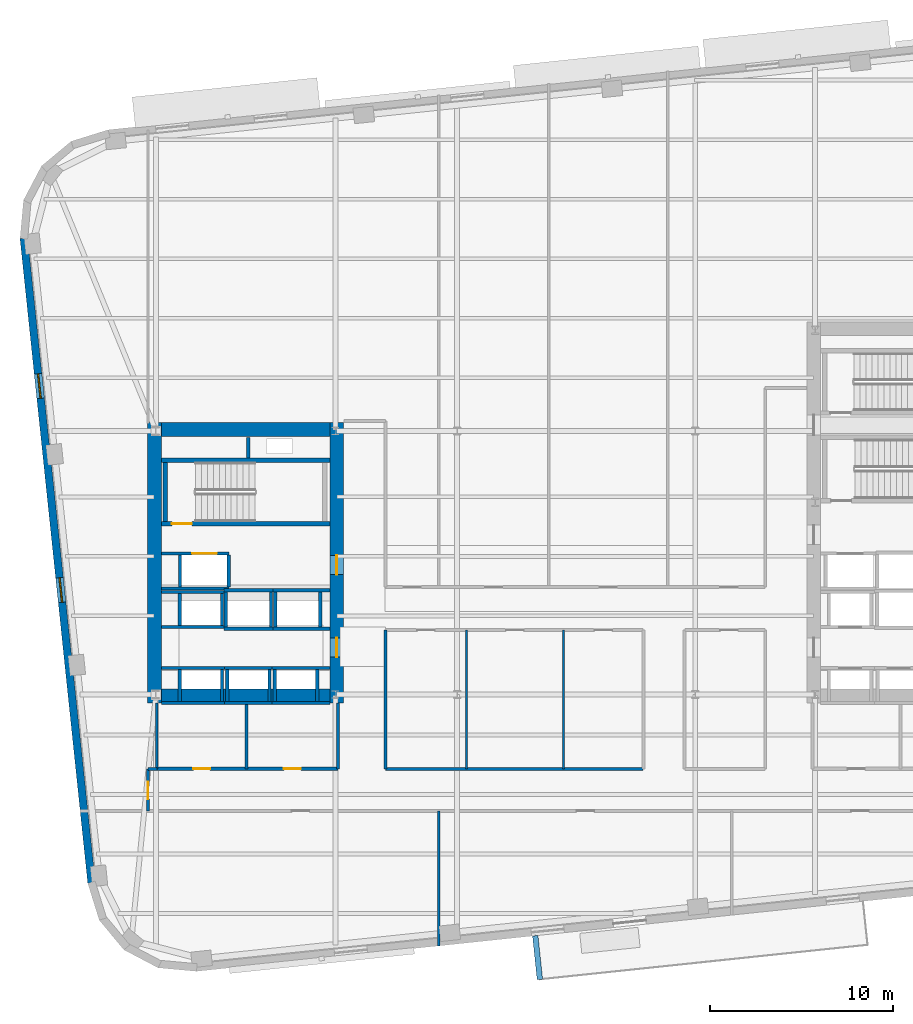
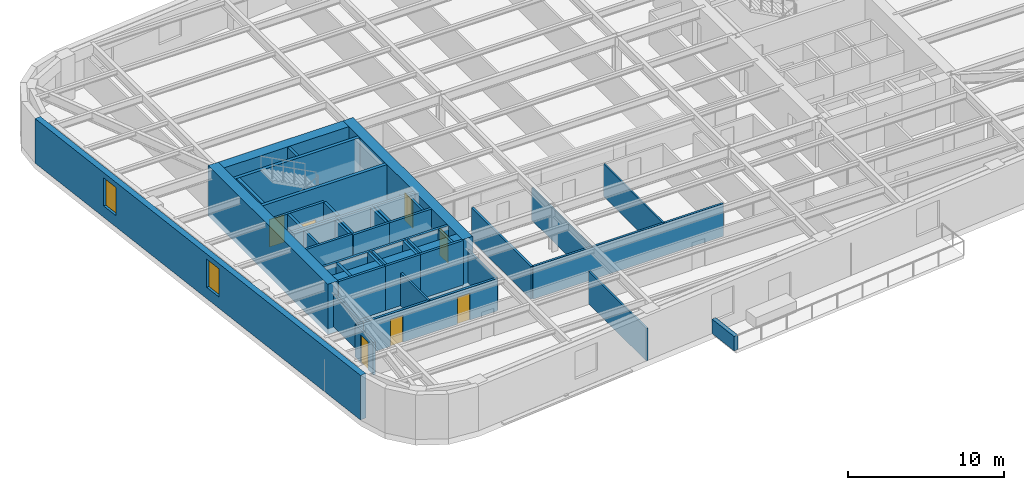
# One storey, part 4 of 11: 49 walls, 7 doors, 2 windows, 9 openings.
"""IFC4 building model written with IfcOpenShell, lengths in metres."""

from ifc_helpers import new_model, si_unit, direction, frame, frame_2d, origin, place, context, subcontext, project, spatial, rectangle, extrude, material, layer, layer_set, type_object, element, fill, save


model = new_model("IFC4")

# Units and contexts
model_context = context("Model", 3, precision=1e-05, world=origin(), true_north=direction((0.0, 1.0)))
body_context = subcontext(model_context, "Body", "Model", "MODEL_VIEW")
ifc_project = project(units=[si_unit("LENGTHUNIT", "METRE"), si_unit("AREAUNIT", "SQUARE_METRE"), si_unit("VOLUMEUNIT", "CUBIC_METRE"), si_unit("PLANEANGLEUNIT", "RADIAN"), si_unit("MASSUNIT", "GRAM", prefix="KILO")], contexts=[model_context])

# Site, building, storey
site_placement = place(None, origin())
site = spatial("IfcSite", under=ifc_project, at=site_placement, CompositionType="ELEMENT")
building_placement = place(site_placement, origin())
building = spatial("IfcBuilding", under=site, at=building_placement, Name="Kolvaren Arena Tower", CompositionType="ELEMENT")
storey_placement = place(building_placement, frame((0.0, 0.0, 99.699951171875)))
storey = spatial("IfcBuildingStorey", under=building, at=storey_placement, Name="L22", CompositionType="ELEMENT", Elevation=99.699951171875)

# Walls
ifc_material_1 = material(Name="Gypsum board acoustic assembly", Category="gypsum")
ifc_layer_1 = layer(ifc_material_1, 0.159912109375)
ifc_layer_set_1 = layer_set([ifc_layer_1], Name="Gypsum board acoustic assembly")
wall_type_1 = type_object("IfcWallType", Name="CORR-160", PredefinedType="PARTITIONING", material=ifc_layer_set_1)
wall_1_placement = place(storey_placement, frame((27.10009765625, 15.3798828125, 0.0), z_axis=(0.0, 0.0, 1.0), x_axis=(1.0, 0.0, 0.0)))
element("IfcWall", 1, at=wall_1_placement, inside=storey, type_object=wall_type_1, Name="Interior Partition Wall (L22)", PredefinedType="PARTITIONING", context=body_context, shape_type="SweptSolid", body=[
    extrude(rectangle(XDim=14.059814453125, YDim=0.159912109375, at=frame_2d((7.02978515625, 0.0))), origin(), (0.0, 0.0, 1.0), 2.5400390625),
])
wall_2_placement = place(storey_placement, frame((27.080078125, 15.3798828125, 0.0), z_axis=(0.0, 0.0, 1.0), x_axis=(0.0, 1.0, 0.0)))
element("IfcWall", 2, at=wall_2_placement, inside=storey, type_object=wall_type_1, Name="Interior Partition Wall (L22)", PredefinedType="PARTITIONING", context=body_context, shape_type="SweptSolid", body=[
    extrude(rectangle(XDim=7.60009765625, YDim=0.159912109375, at=frame_2d((3.800048828125, 0.0))), origin(), (0.0, 0.0, 1.0), 2.5400390625),
])

# Wall, opening, door
wall_3_placement = place(storey_placement, frame((14.1201171875, 13.10009765625, 0.0), z_axis=(0.0, 0.0, 1.0), x_axis=(0.0, 1.0, 0.0)))
wall_3 = element("IfcWall", 3, at=wall_3_placement, inside=storey, type_object=wall_type_1, Name="Interior Partition Wall (L22)", PredefinedType="PARTITIONING", context=body_context, shape_type="SweptSolid", body=[
    extrude(rectangle(XDim=2.2998046875, YDim=0.159912109375, at=frame_2d((1.14990234375, 0.0))), origin(), (0.0, 0.0, 1.0), 2.5400390625),
])
opening_1_placement = place(wall_3_placement, frame((0.64990234375, 0.0, 0.0)))
opening_1 = element("IfcOpeningElement", 4, at=opening_1_placement, cuts=wall_3, Name="Opening D05", PredefinedType="OPENING", context=body_context, shape_type="SweptSolid", body=[
    extrude(rectangle(XDim=0.949951171875, YDim=2.14990234375, at=frame_2d((0.47509765625, 1.074951171875))), frame((0.0, 0.08984375, 0.0), z_axis=(0.0, -1.0, 0.0), x_axis=(1.0, 0.0, 0.0)), (0.0, 0.0, 1.0), 0.179931640625),
])
ifc_material_2 = material(Name="Solid-core oak acoustic office door", Category="wood")
door_type_1 = type_object("IfcDoorType", Name="DOOR-OF-095", OperationType="NOTDEFINED", PredefinedType="DOOR", material=ifc_material_2)
door_1_placement = place(opening_1_placement, origin())
door_1 = element("IfcDoor", 5, at=door_1_placement, inside=storey, type_object=door_type_1, Name="West Wing Office Door (L22)", OperationType="SINGLE_SWING_LEFT", OverallHeight=2.14990234375, OverallWidth=0.949951171875, PredefinedType="DOOR", context=body_context, shape_type="SweptSolid", body=[
    extrude(rectangle(XDim=0.949951171875, YDim=2.14990234375, at=frame_2d((0.47509765625, 1.074951171875))), frame((0.0, 0.02490234375, 0.0), z_axis=(0.0, -1.0, 0.0), x_axis=(1.0, 0.0, 0.0)), (0.0, 0.0, 1.0), 0.050048828125),
])
fill(opening_1, door_1)

# Walls
wall_4_placement = place(storey_placement, frame((14.1201171875, 15.39990234375, 0.0), z_axis=(0.0, 0.0, 1.0), x_axis=(1.0, 0.0, 0.0)))
element("IfcWall", 6, at=wall_4_placement, inside=storey, type_object=wall_type_1, Name="Interior Partition Wall (L22)", PredefinedType="PARTITIONING", context=body_context, shape_type="SweptSolid", body=[
    extrude(rectangle(XDim=0.5, YDim=0.159912109375, at=frame_2d((0.25, 0.0))), origin(), (0.0, 0.0, 1.0), 2.5400390625),
])
ifc_material_3 = material(Name="Concrete 70 MPa", Category="concrete")
ifc_layer_2 = layer(ifc_material_3, 0.75)
ifc_layer_set_2 = layer_set([ifc_layer_2], Name="Concrete 70 MPa")
wall_type_2 = type_object("IfcWallType", Name="CWALL-750", PredefinedType="SHEAR", material=ifc_layer_set_2)
wall_5_placement = place(storey_placement, frame((14.47509765625, 19.0, -0.449951171875), z_axis=(0.0, 0.0, 1.0), x_axis=(0.0, 1.0, 0.0)))
element("IfcWall", 7, at=wall_5_placement, inside=storey, type_object=wall_type_2, Name="Core Shear Wall WC-WEST (L22)", PredefinedType="SHEAR", context=body_context, shape_type="SweptSolid", body=[
    extrude(rectangle(XDim=15.300048828125, YDim=0.75, at=frame_2d((7.64990234375, 0.0))), origin(), (0.0, 0.0, 1.0), 3.929931640625),
])

# Wall, openings, doors
wall_6_placement = place(storey_placement, frame((24.425048828125, 19.0, -0.449951171875), z_axis=(0.0, 0.0, 1.0), x_axis=(0.0, 1.0, 0.0)))
wall_6 = element("IfcWall", 8, at=wall_6_placement, inside=storey, type_object=wall_type_2, Name="Core Shear Wall WC-EAST (L22)", PredefinedType="SHEAR", context=body_context, shape_type="SweptSolid", body=[
    extrude(rectangle(XDim=15.300048828125, YDim=0.75, at=frame_2d((7.64990234375, 0.0))), origin(), (0.0, 0.0, 1.0), 3.929931640625),
])
opening_2_placement = place(wall_6_placement, frame((2.5, 0.0, 0.449951171875)))
opening_2 = element("IfcOpeningElement", 9, at=opening_2_placement, cuts=wall_6, Name="Opening D04", PredefinedType="OPENING", context=body_context, shape_type="SweptSolid", body=[
    extrude(rectangle(XDim=1.050048828125, YDim=2.14990234375, at=frame_2d((0.52490234375, 1.074951171875))), frame((0.0, 0.385009765625, 0.0), z_axis=(0.0, -1.0, 0.0), x_axis=(1.0, 0.0, 0.0)), (0.0, 0.0, 1.0), 0.77001953125),
])
opening_3_placement = place(wall_6_placement, frame((7.0, 0.0, 0.449951171875)))
opening_3 = element("IfcOpeningElement", 10, at=opening_3_placement, cuts=wall_6, Name="Opening D04", PredefinedType="OPENING", context=body_context, shape_type="SweptSolid", body=[
    extrude(rectangle(XDim=1.050048828125, YDim=2.14990234375, at=frame_2d((0.52490234375, 1.074951171875))), frame((0.0, 0.385009765625, 0.0), z_axis=(0.0, -1.0, 0.0), x_axis=(1.0, 0.0, 0.0)), (0.0, 0.0, 1.0), 0.77001953125),
])
ifc_material_4 = material(Name="Fire-rated steel lobby door", Category="steel")
door_type_2 = type_object("IfcDoorType", Name="DOOR-FF-105", OperationType="NOTDEFINED", PredefinedType="DOOR", material=ifc_material_4)
door_2_placement = place(opening_2_placement, origin())
door_2 = element("IfcDoor", 11, at=door_2_placement, inside=storey, type_object=door_type_2, Name="West Lift Lobby Fire Door (L22)", OperationType="SINGLE_SWING_LEFT", OverallHeight=2.14990234375, OverallWidth=1.050048828125, PredefinedType="DOOR", context=body_context, shape_type="SweptSolid", body=[
    extrude(rectangle(XDim=1.050048828125, YDim=2.14990234375, at=frame_2d((0.52490234375, 1.074951171875))), frame((0.0, 0.02490234375, 0.0), z_axis=(0.0, -1.0, 0.0), x_axis=(1.0, 0.0, 0.0)), (0.0, 0.0, 1.0), 0.050048828125),
])
fill(opening_2, door_2)
door_3_placement = place(opening_3_placement, origin())
door_3 = element("IfcDoor", 12, at=door_3_placement, inside=storey, type_object=door_type_2, Name="West Firefighter Vestibule Door (L22)", OperationType="SINGLE_SWING_RIGHT", OverallHeight=2.14990234375, OverallWidth=1.050048828125, PredefinedType="DOOR", context=body_context, shape_type="SweptSolid", body=[
    extrude(rectangle(XDim=1.050048828125, YDim=2.14990234375, at=frame_2d((0.52490234375, 1.074951171875))), frame((0.0, 0.02490234375, 0.0), z_axis=(0.0, -1.0, 0.0), x_axis=(1.0, 0.0, 0.0)), (0.0, 0.0, 1.0), 0.050048828125),
])
fill(opening_3, door_3)

# Walls
for number, where, z_axis, x_axis, name in (
    (13, (14.85009765625, 19.375, -0.449951171875), (0.0, 0.0, 1.0), (1.0, 0.0, 0.0), "Core Shear Wall WC-SOUTH (L22)"),
    (14, (14.85009765625, 33.925048828125, -0.449951171875), (0.0, 0.0, 1.0), (1.0, 0.0, 0.0), "Core Shear Wall WC-NORTH (L22)"),
):
    element("IfcWall", number, at=place(storey_placement, frame(where, z_axis=z_axis, x_axis=x_axis)), inside=storey, type_object=wall_type_2, Name=name, PredefinedType="SHEAR", context=body_context, shape_type="SweptSolid", body=[
        extrude(rectangle(XDim=9.199951171875, YDim=0.75, at=frame_2d((4.60009765625, 0.0))), origin(), (0.0, 0.0, 1.0), 3.929931640625),
    ])

# Wall, openings, windows
ifc_material_5 = material(Name="Precast concrete C50/60", Category="concrete")
ifc_layer_3 = layer(ifc_material_5, 0.419921875)
ifc_layer_set_3 = layer_set([ifc_layer_3], Name="Precast concrete C50/60")
wall_type_3 = type_object("IfcWallType", Name="EXT-PIER1", PredefinedType="SOLIDWALL", material=ifc_layer_set_3)
wall_7_placement = place(storey_placement, frame((11.039794921875, 9.16943359375, 0.0), z_axis=(0.0, 0.0, 1.0), x_axis=(-0.104532207177, 0.99452150186, 0.0)))
wall_7 = element("IfcWall", 15, at=wall_7_placement, inside=storey, type_object=wall_type_3, Name="Exterior Precast Masonry-Frame Wall (L22)", PredefinedType="SOLIDWALL", context=body_context, shape_type="SweptSolid", body=[
    extrude(rectangle(XDim=35.39990234375, YDim=0.419921875, at=frame_2d((17.699951171875, 0.0))), origin(), (0.0, 0.0, 1.0), 3.47998046875),
])
opening_4_placement = place(wall_7_placement, frame((15.39990234375, 0.0, 0.8798828125)))
opening_4 = element("IfcOpeningElement", 16, at=opening_4_placement, cuts=wall_7, Name="Opening W04", PredefinedType="OPENING", context=body_context, shape_type="SweptSolid", body=[
    extrude(rectangle(XDim=1.35009765625, YDim=2.199951171875, at=frame_2d((0.675048828125, 1.10009765625))), frame((0.0, 0.219970703125, 0.0), z_axis=(0.0, -1.0, 0.0), x_axis=(1.0, 0.0, 0.0)), (0.0, 0.0, 1.0), 0.43994140625),
])
opening_5_placement = place(wall_7_placement, frame((26.60009765625, 0.0, 0.8798828125)))
opening_5 = element("IfcOpeningElement", 17, at=opening_5_placement, cuts=wall_7, Name="Opening W04", PredefinedType="OPENING", context=body_context, shape_type="SweptSolid", body=[
    extrude(rectangle(XDim=1.35009765625, YDim=2.199951171875, at=frame_2d((0.675048828125, 1.10009765625))), frame((0.0, 0.219970703125, 0.0), z_axis=(0.0, -1.0, 0.0), x_axis=(1.0, 0.0, 0.0)), (0.0, 0.0, 1.0), 0.43994140625),
])
ifc_material_6 = material(Name="Triple-glazed curved-facet corner window", Category="glass")
window_type = type_object("IfcWindowType", Name="WIN-CRN-A", PartitioningType="SINGLE_PANEL", PredefinedType="WINDOW", material=ifc_material_6)
window_1_placement = place(opening_4_placement, origin())
window_1 = element("IfcWindow", 18, at=window_1_placement, inside=storey, type_object=window_type, Name="End-Wall Punched Window (L22)", OverallHeight=2.199951171875, OverallWidth=1.35009765625, PartitioningType="SINGLE_PANEL", PredefinedType="WINDOW", context=body_context, shape_type="SweptSolid", body=[
    extrude(rectangle(XDim=1.35009765625, YDim=2.199951171875, at=frame_2d((0.675048828125, 1.10009765625))), frame((0.0, 0.030029296875, 0.0), z_axis=(0.0, -1.0, 0.0), x_axis=(1.0, 0.0, 0.0)), (0.0, 0.0, 1.0), 0.06005859375),
])
fill(opening_4, window_1)
window_2_placement = place(opening_5_placement, origin())
window_2 = element("IfcWindow", 19, at=window_2_placement, inside=storey, type_object=window_type, Name="End-Wall Punched Window (L22)", OverallHeight=2.199951171875, OverallWidth=1.35009765625, PartitioningType="SINGLE_PANEL", PredefinedType="WINDOW", context=body_context, shape_type="SweptSolid", body=[
    extrude(rectangle(XDim=1.35009765625, YDim=2.199951171875, at=frame_2d((0.675048828125, 1.10009765625))), frame((0.0, 0.030029296875, 0.0), z_axis=(0.0, -1.0, 0.0), x_axis=(1.0, 0.0, 0.0)), (0.0, 0.0, 1.0), 0.06005859375),
])
fill(opening_5, window_2)

# Walls
ifc_material_7 = material(Name="Precast concrete C45/55", Category="concrete")
ifc_layer_4 = layer(ifc_material_7, 0.300048828125)
ifc_layer_set_4 = layer_set([ifc_layer_4], Name="Precast concrete C45/55")
wall_type_4 = type_object("IfcWallType", Name="PARAP-300", PredefinedType="PARAPET", material=ifc_layer_set_4)
wall_8_placement = place(storey_placement, frame((35.263916015625, 6.285888671875, 0.0), z_axis=(0.0, 0.0, 1.0), x_axis=(0.10456829335, -0.994517708252, 0.0)))
element("IfcWall", 20, at=wall_8_placement, inside=storey, type_object=wall_type_4, Name="Terrace Side Parapet Wall (L22)", PredefinedType="PARAPET", context=body_context, shape_type="SweptSolid", body=[
    extrude(rectangle(XDim=2.400146484375, YDim=0.300048828125, at=frame_2d((1.2001953125, 0.0))), origin(), (0.0, 0.0, 1.0), 1.1201171875),
])
ifc_material_8 = material(Name="Gypsum board partition assembly", Category="gypsum")
ifc_layer_5 = layer(ifc_material_8, 0.114990234375)
ifc_layer_set_5 = layer_set([ifc_layer_5], Name="Gypsum board partition assembly")
wall_type_5 = type_object("IfcWallType", Name="PART-115", PredefinedType="PARTITIONING", material=ifc_layer_set_5)
for number, where, z_axis, x_axis, name in (
    (21, (31.5, 15.3798828125, 0.0), (0.0, 0.0, 1.0), (0.0, 1.0, 0.0), "Interior Partition Wall (L22)"),
    (22, (36.800048828125, 15.3798828125, 0.0), (0.0, 0.0, 1.0), (0.0, 1.0, 0.0), "Interior Partition Wall (L22)"),
):
    element("IfcWall", number, at=place(storey_placement, frame(where, z_axis=z_axis, x_axis=x_axis)), inside=storey, type_object=wall_type_5, Name=name, PredefinedType="PARTITIONING", context=body_context, shape_type="SweptSolid", body=[
        extrude(rectangle(XDim=7.60009765625, YDim=0.114990234375, at=frame_2d((3.800048828125, 0.0))), origin(), (0.0, 0.0, 1.0), 2.5400390625),
    ])
ifc_layer_6 = layer(ifc_material_8, 0.135009765625)
ifc_layer_set_6 = layer_set([ifc_layer_6], Name="Gypsum board partition assembly")
wall_type_6 = type_object("IfcWallType", Name="PART-135", PredefinedType="PARTITIONING", material=ifc_layer_set_6)
wall_9_placement = place(storey_placement, frame((30.0, 5.732666015625, 0.0), z_axis=(0.0, 0.0, 1.0), x_axis=(0.0, 1.0, 0.0)))
element("IfcWall", 23, at=wall_9_placement, inside=storey, type_object=wall_type_6, Name="Interior Partition Wall (L22)", PredefinedType="PARTITIONING", context=body_context, shape_type="SweptSolid", body=[
    extrude(rectangle(XDim=7.367431640625, YDim=0.135009765625, at=frame_2d((3.68359375, 0.0))), origin(), (0.0, 0.0, 1.0), 2.5400390625),
])

# Wall, opening, door
ifc_material_9 = material(Name="Concrete 45 MPa", Category="concrete")
ifc_layer_7 = layer(ifc_material_9, 0.25)
ifc_layer_set_7 = layer_set([ifc_layer_7], Name="Concrete 45 MPa")
wall_type_7 = type_object("IfcWallType", Name="SHAFT-250", PredefinedType="SOLIDWALL", material=ifc_layer_set_7)
wall_10_placement = place(storey_placement, frame((24.050048828125, 28.780029296875, 0.0), z_axis=(0.0, 0.0, 1.0), x_axis=(-1.0, 0.0, 0.0)))
wall_10 = element("IfcWall", 24, at=wall_10_placement, inside=storey, type_object=wall_type_7, Name="Core Shaft Wall (L22)", PredefinedType="SOLIDWALL", context=body_context, shape_type="SweptSolid", body=[
    extrude(rectangle(XDim=9.199951171875, YDim=0.239990234375, at=frame_2d((4.60009765625, 0.0))), origin(), (0.0, 0.0, 1.0), 3.47998046875),
])
opening_6_placement = place(wall_10_placement, frame((7.530029296875, 0.0, 0.0)))
opening_6 = element("IfcOpeningElement", 25, at=opening_6_placement, cuts=wall_10, Name="Opening D03", PredefinedType="OPENING", context=body_context, shape_type="SweptSolid", body=[
    extrude(rectangle(XDim=1.10009765625, YDim=2.14990234375, at=frame_2d((0.550048828125, 1.074951171875))), frame((0.0, 0.1298828125, 0.0), z_axis=(0.0, -1.0, 0.0), x_axis=(1.0, 0.0, 0.0)), (0.0, 0.0, 1.0), 0.260009765625),
])
ifc_material_10 = material(Name="Fire-rated steel exit stair door", Category="steel")
door_type_3 = type_object("IfcDoorType", Name="DOOR-ST-110", OperationType="NOTDEFINED", PredefinedType="DOOR", material=ifc_material_10)
door_4_placement = place(opening_6_placement, origin())
door_4 = element("IfcDoor", 26, at=door_4_placement, inside=storey, type_object=door_type_3, Name="Stair ST-W1 Fire Door (L22)", OperationType="SINGLE_SWING_RIGHT", OverallHeight=2.14990234375, OverallWidth=1.10009765625, PredefinedType="DOOR", context=body_context, shape_type="SweptSolid", body=[
    extrude(rectangle(XDim=1.10009765625, YDim=2.14990234375, at=frame_2d((0.550048828125, 1.074951171875))), frame((0.0, 0.02490234375, 0.0), z_axis=(0.0, -1.0, 0.0), x_axis=(1.0, 0.0, 0.0)), (0.0, 0.0, 1.0), 0.050048828125),
])
fill(opening_6, door_4)

# Walls
wall_11_placement = place(storey_placement, frame((14.85009765625, 32.25, 0.0), z_axis=(0.0, 0.0, 1.0), x_axis=(1.0, 0.0, 0.0)))
element("IfcWall", 27, at=wall_11_placement, inside=storey, type_object=wall_type_7, Name="Core Shaft Wall (L22)", PredefinedType="SOLIDWALL", context=body_context, shape_type="SweptSolid", body=[
    extrude(rectangle(XDim=9.199951171875, YDim=0.239990234375, at=frame_2d((4.60009765625, 0.0))), origin(), (0.0, 0.0, 1.0), 3.47998046875),
])
wall_12_placement = place(storey_placement, frame((15.06005859375, 28.89990234375, 0.0), z_axis=(0.0, 0.0, 1.0), x_axis=(0.0, 1.0, 0.0)))
element("IfcWall", 28, at=wall_12_placement, inside=storey, type_object=wall_type_7, Name="Core Shaft Wall (L22)", PredefinedType="SOLIDWALL", context=body_context, shape_type="SweptSolid", body=[
    extrude(rectangle(XDim=3.22998046875, YDim=0.239990234375, at=frame_2d((1.614990234375, 0.0))), origin(), (0.0, 0.0, 1.0), 3.47998046875),
])
wall_13_placement = place(storey_placement, frame((19.60009765625, 32.3701171875, 0.0), z_axis=(0.0, 0.0, 1.0), x_axis=(0.0, 1.0, 0.0)))
element("IfcWall", 29, at=wall_13_placement, inside=storey, type_object=wall_type_7, Name="Core Shaft Wall (L22)", PredefinedType="SOLIDWALL", context=body_context, shape_type="SweptSolid", body=[
    extrude(rectangle(XDim=1.1298828125, YDim=0.199951171875, at=frame_2d((0.56494140625, 0.0))), origin(), (0.0, 0.0, 1.0), 3.47998046875),
])
for number, where, z_axis, x_axis, name in (
    (30, (14.85009765625, 20.905029296875, 0.0), (0.0, 0.0, 1.0), (1.0, 0.0, 0.0), "Core Shaft Wall (L22)"),
    (31, (14.85009765625, 18.9951171875, 0.0), (0.0, 0.0, 1.0), (1.0, 0.0, 0.0), "Core Shaft Wall (L22)"),
):
    element("IfcWall", number, at=place(storey_placement, frame(where, z_axis=z_axis, x_axis=x_axis)), inside=storey, type_object=wall_type_7, Name=name, PredefinedType="SOLIDWALL", context=body_context, shape_type="SweptSolid", body=[
        extrude(rectangle(XDim=3.449951171875, YDim=0.179931640625, at=frame_2d((1.72509765625, 0.0))), origin(), (0.0, 0.0, 1.0), 3.47998046875),
    ])
for number, where, z_axis, x_axis, name in (
    (32, (15.844970703125, 19.0849609375, 0.0), (0.0, 0.0, 1.0), (0.0, 1.0, 0.0), "Core Shaft Wall (L22)"),
    (33, (18.155029296875, 19.0849609375, 0.0), (0.0, 0.0, 1.0), (0.0, 1.0, 0.0), "Core Shaft Wall (L22)"),
):
    element("IfcWall", number, at=place(storey_placement, frame(where, z_axis=z_axis, x_axis=x_axis)), inside=storey, type_object=wall_type_7, Name=name, PredefinedType="SOLIDWALL", context=body_context, shape_type="SweptSolid", body=[
        extrude(rectangle(XDim=1.72998046875, YDim=0.179931640625, at=frame_2d((0.864990234375, 0.0))), origin(), (0.0, 0.0, 1.0), 3.47998046875),
    ])
for number, where, z_axis, x_axis, name in (
    (34, (18.300048828125, 20.905029296875, 0.0), (0.0, 0.0, 1.0), (1.0, 0.0, 0.0), "Core Shaft Wall (L22)"),
    (35, (18.300048828125, 18.9951171875, 0.0), (0.0, 0.0, 1.0), (1.0, 0.0, 0.0), "Core Shaft Wall (L22)"),
):
    element("IfcWall", number, at=place(storey_placement, frame(where, z_axis=z_axis, x_axis=x_axis)), inside=storey, type_object=wall_type_7, Name=name, PredefinedType="SOLIDWALL", context=body_context, shape_type="SweptSolid", body=[
        extrude(rectangle(XDim=2.599853515625, YDim=0.179931640625, at=frame_2d((1.2998046875, 0.0))), origin(), (0.0, 0.0, 1.0), 3.47998046875),
    ])
for number, where, z_axis, x_axis, name in (
    (36, (18.445068359375, 19.0849609375, 0.0), (0.0, 0.0, 1.0), (0.0, 1.0, 0.0), "Core Shaft Wall (L22)"),
    (37, (20.7548828125, 19.0849609375, 0.0), (0.0, 0.0, 1.0), (0.0, 1.0, 0.0), "Core Shaft Wall (L22)"),
):
    element("IfcWall", number, at=place(storey_placement, frame(where, z_axis=z_axis, x_axis=x_axis)), inside=storey, type_object=wall_type_7, Name=name, PredefinedType="SOLIDWALL", context=body_context, shape_type="SweptSolid", body=[
        extrude(rectangle(XDim=1.72998046875, YDim=0.179931640625, at=frame_2d((0.864990234375, 0.0))), origin(), (0.0, 0.0, 1.0), 3.47998046875),
    ])
for number, where, z_axis, x_axis, name in (
    (38, (20.89990234375, 20.905029296875, 0.0), (0.0, 0.0, 1.0), (1.0, 0.0, 0.0), "Core Shaft Wall (L22)"),
    (39, (20.89990234375, 18.9951171875, 0.0), (0.0, 0.0, 1.0), (1.0, 0.0, 0.0), "Core Shaft Wall (L22)"),
):
    element("IfcWall", number, at=place(storey_placement, frame(where, z_axis=z_axis, x_axis=x_axis)), inside=storey, type_object=wall_type_7, Name=name, PredefinedType="SOLIDWALL", context=body_context, shape_type="SweptSolid", body=[
        extrude(rectangle(XDim=3.150146484375, YDim=0.179931640625, at=frame_2d((1.5751953125, 0.0))), origin(), (0.0, 0.0, 1.0), 3.47998046875),
    ])
for number, where, z_axis, x_axis, name in (
    (40, (21.044921875, 19.0849609375, 0.0), (0.0, 0.0, 1.0), (0.0, 1.0, 0.0), "Core Shaft Wall (L22)"),
    (41, (23.35498046875, 19.0849609375, 0.0), (0.0, 0.0, 1.0), (0.0, 1.0, 0.0), "Core Shaft Wall (L22)"),
):
    element("IfcWall", number, at=place(storey_placement, frame(where, z_axis=z_axis, x_axis=x_axis)), inside=storey, type_object=wall_type_7, Name=name, PredefinedType="SOLIDWALL", context=body_context, shape_type="SweptSolid", body=[
        extrude(rectangle(XDim=1.72998046875, YDim=0.179931640625, at=frame_2d((0.864990234375, 0.0))), origin(), (0.0, 0.0, 1.0), 3.47998046875),
    ])
for number, where, z_axis, x_axis, name in (
    (42, (14.85009765625, 25.054931640625, 0.0), (0.0, 0.0, 1.0), (1.0, 0.0, 0.0), "Core Shaft Wall (L22)"),
    (43, (14.85009765625, 23.14501953125, 0.0), (0.0, 0.0, 1.0), (1.0, 0.0, 0.0), "Core Shaft Wall (L22)"),
):
    element("IfcWall", number, at=place(storey_placement, frame(where, z_axis=z_axis, x_axis=x_axis)), inside=storey, type_object=wall_type_7, Name=name, PredefinedType="SOLIDWALL", context=body_context, shape_type="SweptSolid", body=[
        extrude(rectangle(XDim=3.412353515625, YDim=0.179931640625, at=frame_2d((1.7060546875, 0.0))), origin(), (0.0, 0.0, 1.0), 3.47998046875),
    ])
for number, where, z_axis, x_axis, name in (
    (44, (15.844970703125, 23.235107421875, 0.0), (0.0, 0.0, 1.0), (0.0, 1.0, 0.0), "Core Shaft Wall (L22)"),
    (45, (18.155029296875, 23.235107421875, 0.0), (0.0, 0.0, 1.0), (0.0, 1.0, 0.0), "Core Shaft Wall (L22)"),
):
    element("IfcWall", number, at=place(storey_placement, frame(where, z_axis=z_axis, x_axis=x_axis)), inside=storey, type_object=wall_type_7, Name=name, PredefinedType="SOLIDWALL", context=body_context, shape_type="SweptSolid", body=[
        extrude(rectangle(XDim=1.72998046875, YDim=0.179931640625, at=frame_2d((0.864990234375, 0.0))), origin(), (0.0, 0.0, 1.0), 3.47998046875),
    ])
for number, where, z_axis, x_axis, name in (
    (46, (18.262451171875, 25.155029296875, 0.0), (0.0, 0.0, 1.0), (1.0, 0.0, 0.0), "Core Shaft Wall (L22)"),
    (47, (18.262451171875, 23.044921875, 0.0), (0.0, 0.0, 1.0), (1.0, 0.0, 0.0), "Core Shaft Wall (L22)"),
):
    element("IfcWall", number, at=place(storey_placement, frame(where, z_axis=z_axis, x_axis=x_axis)), inside=storey, type_object=wall_type_7, Name=name, PredefinedType="SOLIDWALL", context=body_context, shape_type="SweptSolid", body=[
        extrude(rectangle(XDim=2.6875, YDim=0.179931640625, at=frame_2d((1.34375, 0.0))), origin(), (0.0, 0.0, 1.0), 3.47998046875),
    ])
for number, where, z_axis, x_axis, name in (
    (48, (18.3701171875, 23.135009765625, 0.0), (0.0, 0.0, 1.0), (0.0, 1.0, 0.0), "Core Shaft Wall (L22)"),
    (49, (20.830078125, 23.135009765625, 0.0), (0.0, 0.0, 1.0), (0.0, 1.0, 0.0), "Core Shaft Wall (L22)"),
):
    element("IfcWall", number, at=place(storey_placement, frame(where, z_axis=z_axis, x_axis=x_axis)), inside=storey, type_object=wall_type_7, Name=name, PredefinedType="SOLIDWALL", context=body_context, shape_type="SweptSolid", body=[
        extrude(rectangle(XDim=1.929931640625, YDim=0.179931640625, at=frame_2d((0.96484375, 0.0))), origin(), (0.0, 0.0, 1.0), 3.47998046875),
    ])
for number, where, z_axis, x_axis, name in (
    (50, (20.949951171875, 25.155029296875, 0.0), (0.0, 0.0, 1.0), (1.0, 0.0, 0.0), "Core Shaft Wall (L22)"),
    (51, (20.949951171875, 23.044921875, 0.0), (0.0, 0.0, 1.0), (1.0, 0.0, 0.0), "Core Shaft Wall (L22)"),
):
    element("IfcWall", number, at=place(storey_placement, frame(where, z_axis=z_axis, x_axis=x_axis)), inside=storey, type_object=wall_type_7, Name=name, PredefinedType="SOLIDWALL", context=body_context, shape_type="SweptSolid", body=[
        extrude(rectangle(XDim=3.10009765625, YDim=0.179931640625, at=frame_2d((1.550048828125, 0.0))), origin(), (0.0, 0.0, 1.0), 3.47998046875),
    ])
for number, where, z_axis, x_axis, name in (
    (52, (21.070068359375, 23.135009765625, 0.0), (0.0, 0.0, 1.0), (0.0, 1.0, 0.0), "Core Shaft Wall (L22)"),
    (53, (23.530029296875, 23.135009765625, 0.0), (0.0, 0.0, 1.0), (0.0, 1.0, 0.0), "Core Shaft Wall (L22)"),
):
    element("IfcWall", number, at=place(storey_placement, frame(where, z_axis=z_axis, x_axis=x_axis)), inside=storey, type_object=wall_type_7, Name=name, PredefinedType="SOLIDWALL", context=body_context, shape_type="SweptSolid", body=[
        extrude(rectangle(XDim=1.929931640625, YDim=0.179931640625, at=frame_2d((0.96484375, 0.0))), origin(), (0.0, 0.0, 1.0), 3.47998046875),
    ])

# Wall, opening, door
wall_14_placement = place(storey_placement, frame((14.85009765625, 27.155029296875, 0.0), z_axis=(0.0, 0.0, 1.0), x_axis=(1.0, 0.0, 0.0)))
wall_14 = element("IfcWall", 54, at=wall_14_placement, inside=storey, type_object=wall_type_7, Name="Core Shaft Wall (L22)", PredefinedType="SOLIDWALL", context=body_context, shape_type="SweptSolid", body=[
    extrude(rectangle(XDim=3.679931640625, YDim=0.179931640625, at=frame_2d((1.83984375, 0.0))), origin(), (0.0, 0.0, 1.0), 3.47998046875),
])
opening_7_placement = place(wall_14_placement, frame((1.675048828125, 0.0, 0.0)))
opening_7 = element("IfcOpeningElement", 55, at=opening_7_placement, cuts=wall_14, Name="Opening LD2", PredefinedType="OPENING", context=body_context, shape_type="SweptSolid", body=[
    extrude(rectangle(XDim=1.35009765625, YDim=2.300048828125, at=frame_2d((0.675048828125, 1.14990234375))), frame((0.0, 0.099853515625, 0.0), z_axis=(0.0, -1.0, 0.0), x_axis=(1.0, 0.0, 0.0)), (0.0, 0.0, 1.0), 0.199951171875),
])
ifc_material_11 = material(Name="Stainless steel firefighter lift landing door", Category="steel")
door_type_4 = type_object("IfcDoorType", Name="DOOR-LD-135", OperationType="DOUBLE_DOOR_SLIDING", PredefinedType="DOOR", material=ifc_material_11)
door_5_placement = place(opening_7_placement, origin())
door_5 = element("IfcDoor", 56, at=door_5_placement, inside=storey, type_object=door_type_4, Name="Firefighter Lift FF-W1 Landing Door (L22)", OperationType="DOUBLE_DOOR_SLIDING", OverallHeight=2.300048828125, OverallWidth=1.35009765625, PredefinedType="DOOR", context=body_context, shape_type="SweptSolid", body=[
    extrude(rectangle(XDim=1.35009765625, YDim=2.300048828125, at=frame_2d((0.675048828125, 1.14990234375))), frame((0.0, 0.02490234375, 0.0), z_axis=(0.0, -1.0, 0.0), x_axis=(1.0, 0.0, 0.0)), (0.0, 0.0, 1.0), 0.050048828125),
])
fill(opening_7, door_5)

# Walls
wall_15_placement = place(storey_placement, frame((14.85009765625, 25.2451171875, 0.0), z_axis=(0.0, 0.0, 1.0), x_axis=(1.0, 0.0, 0.0)))
element("IfcWall", 57, at=wall_15_placement, inside=storey, type_object=wall_type_7, Name="Core Shaft Wall (L22)", PredefinedType="SOLIDWALL", context=body_context, shape_type="SweptSolid", body=[
    extrude(rectangle(XDim=3.679931640625, YDim=0.179931640625, at=frame_2d((1.83984375, 0.0))), origin(), (0.0, 0.0, 1.0), 3.47998046875),
])
for number, where, z_axis, x_axis, name in (
    (58, (15.8701171875, 25.3349609375, 0.0), (0.0, 0.0, 1.0), (0.0, 1.0, 0.0), "Core Shaft Wall (L22)"),
    (59, (18.530029296875, 25.3349609375, 0.0), (0.0, 0.0, 1.0), (0.0, 1.0, 0.0), "Core Shaft Wall (L22)"),
):
    element("IfcWall", number, at=place(storey_placement, frame(where, z_axis=z_axis, x_axis=x_axis)), inside=storey, type_object=wall_type_7, Name=name, PredefinedType="SOLIDWALL", context=body_context, shape_type="SweptSolid", body=[
        extrude(rectangle(XDim=1.72998046875, YDim=0.179931640625, at=frame_2d((0.864990234375, 0.0))), origin(), (0.0, 0.0, 1.0), 3.47998046875),
    ])
ifc_material_12 = material(Name="Moisture-resistant gypsum assembly", Category="gypsum")
ifc_layer_8 = layer(ifc_material_12, 0.14990234375)
ifc_layer_set_8 = layer_set([ifc_layer_8], Name="Moisture-resistant gypsum assembly")
wall_type_8 = type_object("IfcWallType", Name="WETW-150", PredefinedType="PARTITIONING", material=ifc_layer_set_8)
wall_16_placement = place(storey_placement, frame((19.5, 15.39990234375, 0.0), z_axis=(0.0, 0.0, 1.0), x_axis=(0.0, 1.0, 0.0)))
element("IfcWall", 60, at=wall_16_placement, inside=storey, type_object=wall_type_8, Name="Interior Partition Wall (L22)", PredefinedType="PARTITIONING", context=body_context, shape_type="SweptSolid", body=[
    extrude(rectangle(XDim=3.580078125, YDim=0.14990234375, at=frame_2d((1.7900390625, 0.0))), origin(), (0.0, 0.0, 1.0), 2.5400390625),
])

# Wall, openings, doors
wall_17_placement = place(storey_placement, frame((14.60009765625, 15.39990234375, 0.0), z_axis=(0.0, 0.0, 1.0), x_axis=(1.0, 0.0, 0.0)))
wall_17 = element("IfcWall", 61, at=wall_17_placement, inside=storey, type_object=wall_type_8, Name="Interior Partition Wall (L22)", PredefinedType="PARTITIONING", context=body_context, shape_type="SweptSolid", body=[
    extrude(rectangle(XDim=9.89990234375, YDim=0.179931640625, at=frame_2d((4.949951171875, 0.0))), origin(), (0.0, 0.0, 1.0), 2.5400390625),
])
opening_8_placement = place(wall_17_placement, frame((1.989990234375, 0.0, 0.0)))
opening_8 = element("IfcOpeningElement", 62, at=opening_8_placement, cuts=wall_17, Name="Opening D07", PredefinedType="OPENING", context=body_context, shape_type="SweptSolid", body=[
    extrude(rectangle(XDim=0.919921875, YDim=2.10009765625, at=frame_2d((0.4599609375, 1.050048828125))), frame((0.0, 0.099853515625, 0.0), z_axis=(0.0, -1.0, 0.0), x_axis=(1.0, 0.0, 0.0)), (0.0, 0.0, 1.0), 0.199951171875),
])
opening_9_placement = place(wall_17_placement, frame((6.93994140625, 0.0, 0.0)))
opening_9 = element("IfcOpeningElement", 63, at=opening_9_placement, cuts=wall_17, Name="Opening D07", PredefinedType="OPENING", context=body_context, shape_type="SweptSolid", body=[
    extrude(rectangle(XDim=0.919921875, YDim=2.10009765625, at=frame_2d((0.4599609375, 1.050048828125))), frame((0.0, 0.099853515625, 0.0), z_axis=(0.0, -1.0, 0.0), x_axis=(1.0, 0.0, 0.0)), (0.0, 0.0, 1.0), 0.199951171875),
])
ifc_material_13 = material(Name="Laminate universal washroom door", Category="wood")
door_type_5 = type_object("IfcDoorType", Name="DOOR-WC-092", OperationType="NOTDEFINED", PredefinedType="DOOR", material=ifc_material_13)
door_6_placement = place(opening_8_placement, origin())
door_6 = element("IfcDoor", 64, at=door_6_placement, inside=storey, type_object=door_type_5, Name="Universal Barrier-Free Washroom Door (L22)", OperationType="SINGLE_SWING_RIGHT", OverallHeight=2.10009765625, OverallWidth=0.919921875, PredefinedType="DOOR", context=body_context, shape_type="SweptSolid", body=[
    extrude(rectangle(XDim=0.919921875, YDim=2.10009765625, at=frame_2d((0.4599609375, 1.050048828125))), frame((0.0, 0.02490234375, 0.0), z_axis=(0.0, -1.0, 0.0), x_axis=(1.0, 0.0, 0.0)), (0.0, 0.0, 1.0), 0.050048828125),
])
fill(opening_8, door_6)
door_7_placement = place(opening_9_placement, origin())
door_7 = element("IfcDoor", 65, at=door_7_placement, inside=storey, type_object=door_type_5, Name="Gender-Neutral Washroom Door (L22)", OperationType="SINGLE_SWING_LEFT", OverallHeight=2.10009765625, OverallWidth=0.919921875, PredefinedType="DOOR", context=body_context, shape_type="SweptSolid", body=[
    extrude(rectangle(XDim=0.919921875, YDim=2.10009765625, at=frame_2d((0.4599609375, 1.050048828125))), frame((0.0, 0.02490234375, 0.0), z_axis=(0.0, -1.0, 0.0), x_axis=(1.0, 0.0, 0.0)), (0.0, 0.0, 1.0), 0.050048828125),
])
fill(opening_9, door_7)

# Walls
for number, where, z_axis, x_axis, name in (
    (66, (14.60009765625, 15.39990234375, 0.0), (0.0, 0.0, 1.0), (0.0, 1.0, 0.0), "Interior Partition Wall (L22)"),
    (67, (24.5, 15.39990234375, 0.0), (0.0, 0.0, 1.0), (0.0, 1.0, 0.0), "Interior Partition Wall (L22)"),
):
    element("IfcWall", number, at=place(storey_placement, frame(where, z_axis=z_axis, x_axis=x_axis)), inside=storey, type_object=wall_type_8, Name=name, PredefinedType="PARTITIONING", context=body_context, shape_type="SweptSolid", body=[
        extrude(rectangle(XDim=3.580078125, YDim=0.14990234375, at=frame_2d((1.7900390625, 0.0))), origin(), (0.0, 0.0, 1.0), 2.5400390625),
    ])

save(model, "model.ifc")
